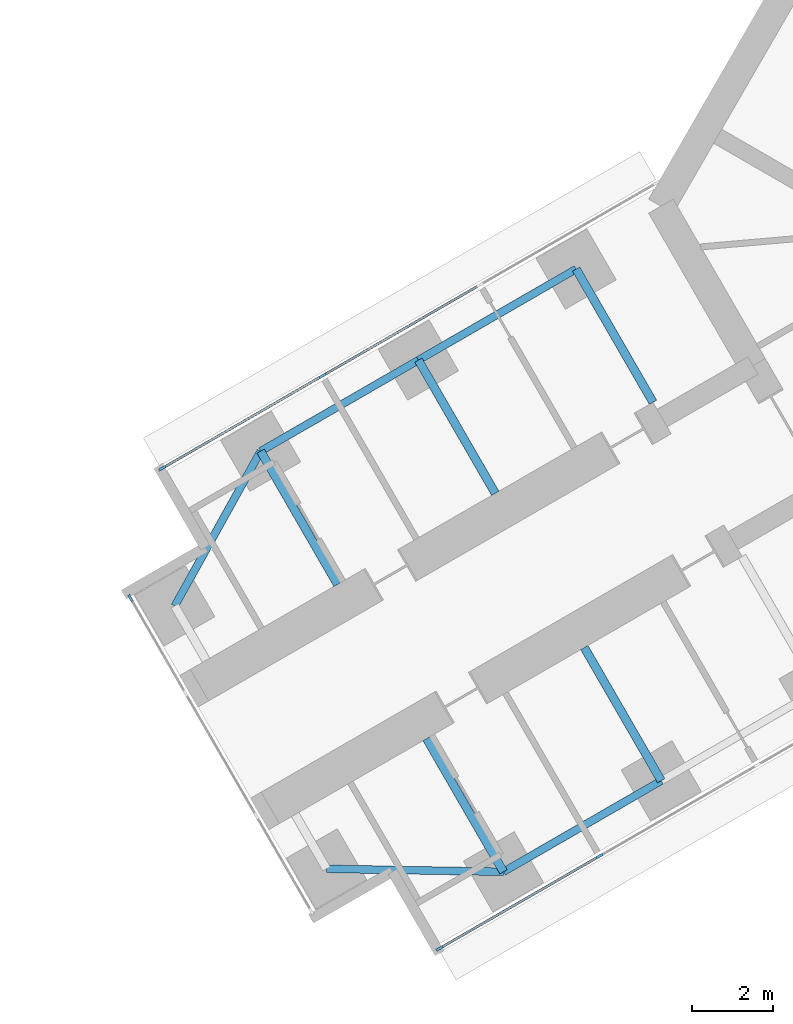
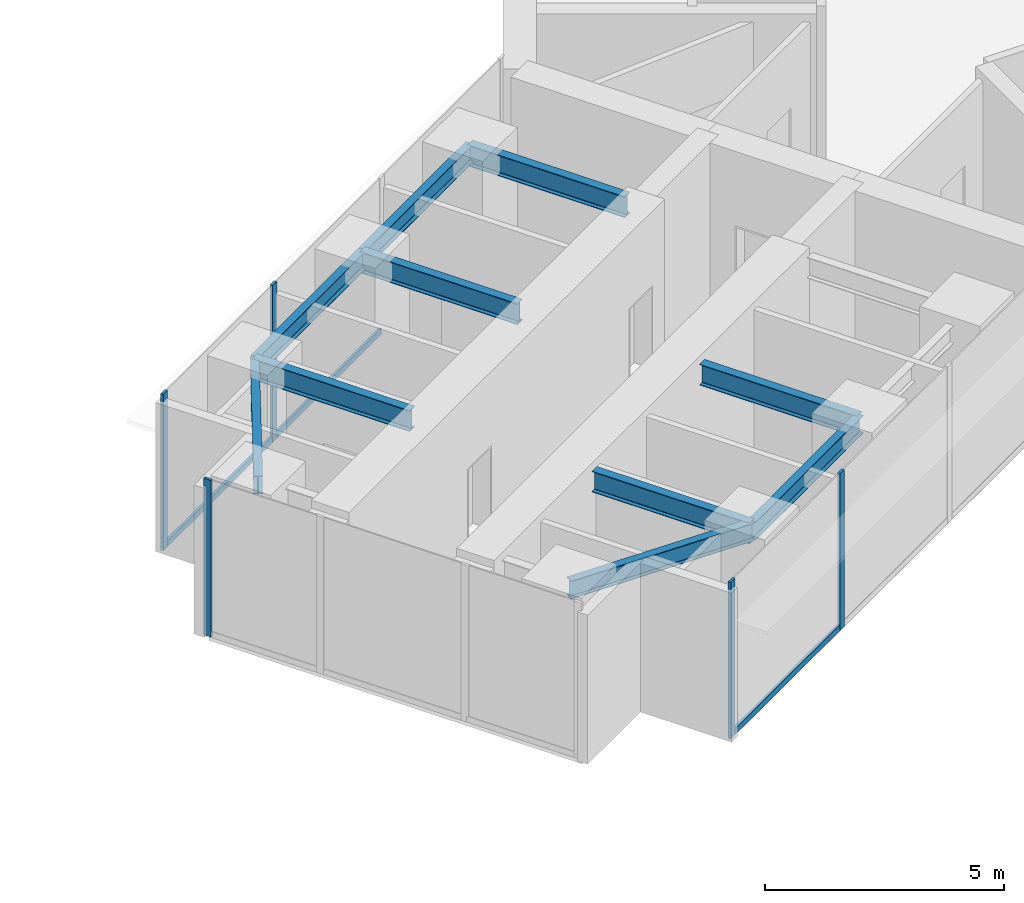
# One storey, part 4 of 24: 10 beams, 8 members, 3 elements without a shape of their own.
"""IFC4 building model written with IfcOpenShell, lengths in metres."""

from ifc_helpers import new_model, si_unit, direction, frame, origin, origin_2d, place, context, subcontext, project, spatial, rectangle, i_section, extrude, material, material_profile, profile_set, type_object, element, aggregate, save


model = new_model("IFC4")

# Units and contexts
model_context = context("Model", 3, precision=1e-05, world=origin(), true_north=direction((0.0, 1.0)))
body_context = subcontext(model_context, "Body", "Model", "MODEL_VIEW")
ifc_project = project(units=[si_unit("LENGTHUNIT", "METRE"), si_unit("AREAUNIT", "SQUARE_METRE"), si_unit("VOLUMEUNIT", "CUBIC_METRE"), si_unit("PLANEANGLEUNIT", "RADIAN"), si_unit("MASSUNIT", "GRAM", prefix="KILO")], contexts=[model_context])

# Site, building, storey
site_placement = place(None, origin())
site = spatial("IfcSite", under=ifc_project, at=site_placement, CompositionType="ELEMENT")
building_placement = place(site_placement, origin())
building = spatial("IfcBuilding", under=site, at=building_placement, Name="Upepo Twin Towers", CompositionType="ELEMENT")
storey_placement = place(building_placement, frame((0.0, 0.0, 68.5)))
storey = spatial("IfcBuildingStorey", under=building, at=storey_placement, Name="L16", CompositionType="ELEMENT", Elevation=68.5)

# Beams
ifc_material_1 = material(Name="Steel S355", Category="steel")
ifc_material_profile_1 = material_profile(ifc_material_1, i_section(OverallWidth=0.1904296875, OverallDepth=0.45703125, WebThickness=0.009033203125, FlangeThickness=0.014404296875, FilletRadius=0.01025390625, at=origin_2d()), Name="UB 457x191x74")
ifc_profile_set_1 = profile_set([ifc_material_profile_1], Name="Steel S355")
beam_type_1 = type_object("IfcBeamType", Name="Beam UB 457x191x74", PredefinedType="BEAM", material=ifc_profile_set_1)
beam_1_placement = place(storey_placement, frame((45.91162109375, -32.196044921875, 3.571533203125), z_axis=(-0.866031096941, -0.499990139034, 0.0), x_axis=(0.499990139034, -0.866031096941, 0.0)))
element("IfcBeam", 1, at=beam_1_placement, inside=storey, type_object=beam_type_1, Name="T2 edge beam BL 18.0-22.5", PredefinedType="BEAM", context=body_context, shape_type="SweptSolid", body=[
    extrude(i_section(OverallWidth=0.1904296875, OverallDepth=0.45703125, WebThickness=0.009033203125, FlangeThickness=0.014404296875, FilletRadius=0.01025390625, at=origin_2d()), origin(), (0.0, 0.0, 1.0), 4.5),
])
beam_2_placement = place(storey_placement, frame((42.014404296875, -34.446044921875, 3.571533203125), z_axis=(-0.999858804832, 0.016803880528, 0.0), x_axis=(-0.016803880528, -0.999858804832, 0.0)))
element("IfcBeam", 2, at=beam_2_placement, inside=storey, type_object=beam_type_1, Name="T2 nose edge beam BL", PredefinedType="BEAM", context=body_context, shape_type="SweptSolid", body=[
    extrude(i_section(OverallWidth=0.1904296875, OverallDepth=0.45703125, WebThickness=0.009033203125, FlangeThickness=0.014404296875, FilletRadius=0.01025390625, at=origin_2d()), origin(), (0.0, 0.0, 1.0), 4.373291015625),
])
beam_3_placement = place(storey_placement, frame((43.80859375, -19.553955078125, 3.571533203125), z_axis=(-0.866017533419, -0.500013631625, 0.0), x_axis=(0.500013631625, -0.866017533419, 0.0)))
element("IfcBeam", 3, at=beam_3_placement, inside=storey, type_object=beam_type_1, Name="T2 edge beam BR 13.5-18.0", PredefinedType="BEAM", context=body_context, shape_type="SweptSolid", body=[
    extrude(i_section(OverallWidth=0.1904296875, OverallDepth=0.45703125, WebThickness=0.009033203125, FlangeThickness=0.014404296875, FilletRadius=0.01025390625, at=origin_2d()), origin(), (0.0, 0.0, 1.0), 4.499755859375),
])
beam_4_placement = place(storey_placement, frame((39.91162109375, -21.803955078125, 3.571533203125), z_axis=(-0.866031096941, -0.499990139034, 0.0), x_axis=(0.499990139034, -0.866031096941, 0.0)))
element("IfcBeam", 4, at=beam_4_placement, inside=storey, type_object=beam_type_1, Name="T2 edge beam BR 18.0-22.5", PredefinedType="BEAM", context=body_context, shape_type="SweptSolid", body=[
    extrude(i_section(OverallWidth=0.1904296875, OverallDepth=0.45703125, WebThickness=0.009033203125, FlangeThickness=0.014404296875, FilletRadius=0.01025390625, at=origin_2d()), origin(), (0.0, 0.0, 1.0), 4.5),
])
beam_5_placement = place(storey_placement, frame((36.014404296875, -24.053955078125, 3.571533203125), z_axis=(-0.485363242752, -0.874312600038, 0.0), x_axis=(0.874312600038, -0.485363242752, 0.0)))
element("IfcBeam", 5, at=beam_5_placement, inside=storey, type_object=beam_type_1, Name="T2 nose edge beam BR", PredefinedType="BEAM", context=body_context, shape_type="SweptSolid", body=[
    extrude(i_section(OverallWidth=0.1904296875, OverallDepth=0.45703125, WebThickness=0.009033203125, FlangeThickness=0.014404296875, FilletRadius=0.01025390625, at=origin_2d()), origin(), (0.0, 0.0, 1.0), 4.373046875),
])
ifc_material_2 = material(Name="Steel S355", Category="steel")
ifc_material_profile_2 = material_profile(ifc_material_2, i_section(OverallWidth=0.209228515625, OverallDepth=0.533203125, WebThickness=0.010009765625, FlangeThickness=0.015625, FilletRadius=0.0126953125, at=origin_2d()), Name="UB 533x210x92")
ifc_profile_set_2 = profile_set([ifc_material_profile_2], Name="Steel S355")
beam_type_2 = type_object("IfcBeamType", Name="Beam UB 533x210x92", PredefinedType="BEAM", material=ifc_profile_set_2)
beam_6_placement = place(storey_placement, frame((45.91162109375, -32.196044921875, 3.533447265625), z_axis=(-0.500043160704, 0.866000483506, 0.0), x_axis=(-0.866000483506, -0.500043160704, 0.0)))
element("IfcBeam", 6, at=beam_6_placement, inside=storey, type_object=beam_type_2, Name="T2 girder BL at 18.0", PredefinedType="BEAM", context=body_context, shape_type="SweptSolid", body=[
    extrude(i_section(OverallWidth=0.209228515625, OverallDepth=0.533203125, WebThickness=0.010009765625, FlangeThickness=0.015625, FilletRadius=0.0126953125, at=origin_2d()), origin(), (0.0, 0.0, 1.0), 3.800048828125),
])
beam_7_placement = place(storey_placement, frame((42.014404296875, -34.446044921875, 3.533447265625), z_axis=(-0.499994975061, 0.866028304915, 0.0), x_axis=(-0.866028304915, -0.499994975061, 0.0)))
element("IfcBeam", 7, at=beam_7_placement, inside=storey, type_object=beam_type_2, Name="T2 girder BL at 22.5", PredefinedType="BEAM", context=body_context, shape_type="SweptSolid", body=[
    extrude(i_section(OverallWidth=0.209228515625, OverallDepth=0.533203125, WebThickness=0.010009765625, FlangeThickness=0.015625, FilletRadius=0.0126953125, at=origin_2d()), origin(), (0.0, 0.0, 1.0), 3.7998046875),
])
beam_8_placement = place(storey_placement, frame((43.80859375, -19.553955078125, 3.533447265625), z_axis=(0.500043160704, -0.866000483506, 0.0), x_axis=(0.866000483506, 0.500043160704, 0.0)))
element("IfcBeam", 8, at=beam_8_placement, inside=storey, type_object=beam_type_2, Name="T2 girder BR at 13.5", PredefinedType="BEAM", context=body_context, shape_type="SweptSolid", body=[
    extrude(i_section(OverallWidth=0.209228515625, OverallDepth=0.533203125, WebThickness=0.010009765625, FlangeThickness=0.015625, FilletRadius=0.0126953125, at=origin_2d()), origin(), (0.0, 0.0, 1.0), 3.800048828125),
])
for number, where, z_axis, x_axis, name in (
    (9, (39.91162109375, -21.803955078125, 3.533447265625), (0.499994975061, -0.866028304915, 0.0), (0.866028304915, 0.499994975061, 0.0), "T2 girder BR at 18.0"),
    (10, (36.014404296875, -24.053955078125, 3.533447265625), (0.499994975061, -0.866028304915, 0.0), (0.866028304915, 0.499994975061, 0.0), "T2 girder BR at 22.5"),
):
    element("IfcBeam", number, at=place(storey_placement, frame(where, z_axis=z_axis, x_axis=x_axis)), inside=storey, type_object=beam_type_2, Name=name, PredefinedType="BEAM", context=body_context, shape_type="SweptSolid", body=[
        extrude(i_section(OverallWidth=0.209228515625, OverallDepth=0.533203125, WebThickness=0.010009765625, FlangeThickness=0.015625, FilletRadius=0.0126953125, at=origin_2d()), origin(), (0.0, 0.0, 1.0), 3.7998046875),
    ])

# Curtain wall, members
ifc_material_3 = material(Name="Aluminium and fritted glass", Category="aluminium")
curtain_wall_type = type_object("IfcCurtainWallType", Name="Tower curtain wall TW1, fritted glass", PredefinedType="NOTDEFINED", material=ifc_material_3)
curtain_wall_1_placement = place(storey_placement, origin())
curtain_wall_1 = element("IfcCurtainWall", 11, at=curtain_wall_1_placement, inside=storey, type_object=curtain_wall_type, Name="T2 L16 wing B flank L curtain wall", PredefinedType="NOTDEFINED")
ifc_material_4 = material(Name="Aluminium mullion", Category="aluminium")
ifc_material_profile_3 = material_profile(ifc_material_4, rectangle(XDim=0.06494140625, YDim=0.179931640625, at=origin_2d()), Name="MULLION 65x180")
ifc_profile_set_3 = profile_set([ifc_material_profile_3], Name="Aluminium mullion")
member_type_1 = type_object("IfcMemberType", Name="Mullion 65x180 TW1", PredefinedType="MULLION", material=ifc_profile_set_3)
member_1_placement = place(storey_placement, frame((44.387939453125, -34.057373046875, 0.0), z_axis=(0.0, 0.0, 1.0), x_axis=(0.500000024426, -0.866025389682, 0.0)))
member_1 = element("IfcMember", 12, at=member_1_placement, type_object=member_type_1, Name="T2 L16 wing B flank L curtain wall mullion 3", PredefinedType="MULLION", context=body_context, shape_type="SweptSolid", body=[
    extrude(rectangle(XDim=0.06494140625, YDim=0.179931640625, at=origin_2d()), origin(), (0.0, 0.0, 1.0), 4.0),
])
member_2_placement = place(storey_placement, frame((40.432373046875, -36.341064453125, 0.0), z_axis=(0.0, 0.0, 1.0), x_axis=(0.500000024426, -0.866025389682, 0.0)))
member_2 = element("IfcMember", 13, at=member_2_placement, type_object=member_type_1, Name="T2 L16 wing B flank L curtain wall mullion 4", PredefinedType="MULLION", context=body_context, shape_type="SweptSolid", body=[
    extrude(rectangle(XDim=0.06494140625, YDim=0.179931640625, at=origin_2d()), origin(), (0.0, 0.0, 1.0), 4.0),
])

curtain_wall_2_placement = place(storey_placement, origin())
curtain_wall_2 = element("IfcCurtainWall", 14, at=curtain_wall_2_placement, inside=storey, type_object=curtain_wall_type, Name="T2 L16 wing B flank R curtain wall", PredefinedType="NOTDEFINED")
member_3_placement = place(storey_placement, frame((33.58251953125, -24.4765625, 0.0), z_axis=(0.0, 0.0, 1.0), x_axis=(-0.500000024426, 0.866025389682, 0.0)))
member_3 = element("IfcMember", 15, at=member_3_placement, type_object=member_type_1, Name="T2 L16 wing B flank R curtain wall mullion 1", PredefinedType="MULLION", context=body_context, shape_type="SweptSolid", body=[
    extrude(rectangle(XDim=0.06494140625, YDim=0.179931640625, at=origin_2d()), origin(), (0.0, 0.0, 1.0), 4.0),
])
member_4_placement = place(storey_placement, frame((37.5380859375, -22.192626953125, 0.0), z_axis=(0.0, 0.0, 1.0), x_axis=(-0.500000024426, 0.866025389682, 0.0)))
member_4 = element("IfcMember", 16, at=member_4_placement, type_object=member_type_1, Name="T2 L16 wing B flank R curtain wall mullion 2", PredefinedType="MULLION", context=body_context, shape_type="SweptSolid", body=[
    extrude(rectangle(XDim=0.06494140625, YDim=0.179931640625, at=origin_2d()), origin(), (0.0, 0.0, 1.0), 4.0),
])

# Curtain wall, member
curtain_wall_3_placement = place(storey_placement, origin())
curtain_wall_3 = element("IfcCurtainWall", 17, at=curtain_wall_3_placement, inside=storey, type_object=curtain_wall_type, Name="T2 L16 wing B nose curtain wall", PredefinedType="NOTDEFINED")
member_5_placement = place(storey_placement, frame((32.796875, -27.68115234375, 0.0), z_axis=(0.0, 0.0, 1.0), x_axis=(0.866025386174, 0.500000030502, 0.0)))
member_5 = element("IfcMember", 18, at=member_5_placement, type_object=member_type_1, Name="T2 L16 wing B nose curtain wall mullion 1", PredefinedType="MULLION", context=body_context, shape_type="SweptSolid", body=[
    extrude(rectangle(XDim=0.06494140625, YDim=0.179931640625, at=origin_2d()), origin(), (0.0, 0.0, 1.0), 4.0),
])
aggregate(curtain_wall_3, [member_5])

# Member
ifc_material_5 = material(Name="Aluminium transom", Category="aluminium")
ifc_material_profile_4 = material_profile(ifc_material_5, rectangle(XDim=0.06494140625, YDim=0.14990234375, at=origin_2d()), Name="TRANSOM 65x150")
ifc_profile_set_4 = profile_set([ifc_material_profile_4], Name="Aluminium transom")
member_type_2 = type_object("IfcMemberType", Name="Transom 65x150 TW1", PredefinedType="USERDEFINED", material=ifc_profile_set_4)
member_6_placement = place(storey_placement, frame((44.35986328125, -34.073486328125, 0.074951171875), z_axis=(-0.866035699072, -0.499982167615, 0.0), x_axis=(0.499982167615, -0.866035699072, 0.0)))
member_6 = element("IfcMember", 19, at=member_6_placement, type_object=member_type_2, Name="T2 L16 wing B flank L curtain wall transom 3", ObjectType="TRANSOM", PredefinedType="USERDEFINED", context=body_context, shape_type="SweptSolid", body=[
    extrude(rectangle(XDim=0.06494140625, YDim=0.14990234375, at=origin_2d()), origin(), (0.0, 0.0, 1.0), 4.502685546875),
])

aggregate(curtain_wall_1, [member_1, member_2, member_6])

member_7_placement = place(storey_placement, frame((33.610595703125, -24.460205078125, 0.074951171875), z_axis=(0.866022143554, 0.500005646842, 0.0), x_axis=(-0.500005646842, 0.866022143554, 0.0)))
member_7 = element("IfcMember", 20, at=member_7_placement, type_object=member_type_2, Name="T2 L16 wing B flank R curtain wall transom 1", ObjectType="TRANSOM", PredefinedType="USERDEFINED", context=body_context, shape_type="SweptSolid", body=[
    extrude(rectangle(XDim=0.06494140625, YDim=0.14990234375, at=origin_2d()), origin(), (0.0, 0.0, 1.0), 4.50244140625),
])

member_8_placement = place(storey_placement, frame((37.566162109375, -22.176513671875, 0.074951171875), z_axis=(0.866022410713, 0.500005184116, 0.0), x_axis=(-0.500005184116, 0.866022410713, 0.0)))
member_8 = element("IfcMember", 21, at=member_8_placement, type_object=member_type_2, Name="T2 L16 wing B flank R curtain wall transom 2", ObjectType="TRANSOM", PredefinedType="USERDEFINED", context=body_context, shape_type="SweptSolid", body=[
    extrude(rectangle(XDim=0.06494140625, YDim=0.14990234375, at=origin_2d()), origin(), (0.0, 0.0, 1.0), 4.43505859375),
])

aggregate(curtain_wall_2, [member_3, member_4, member_7, member_8])

save(model, "model.ifc")
